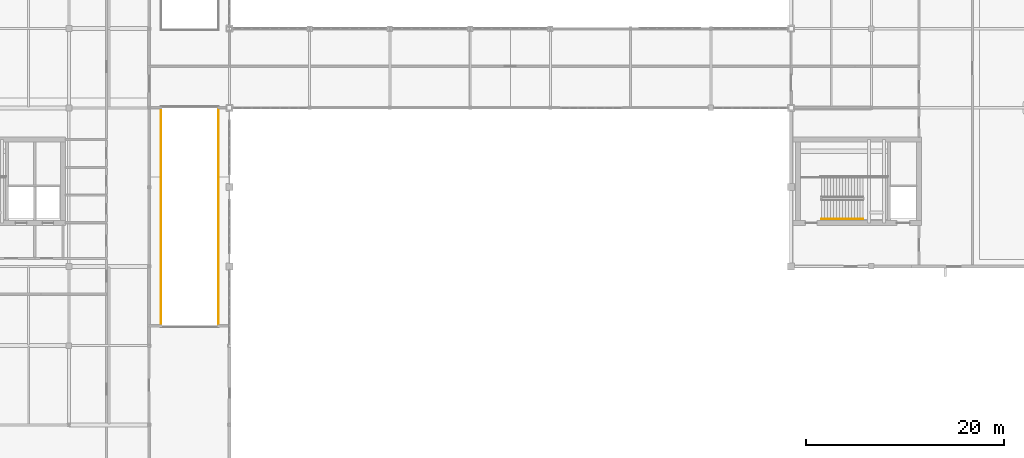
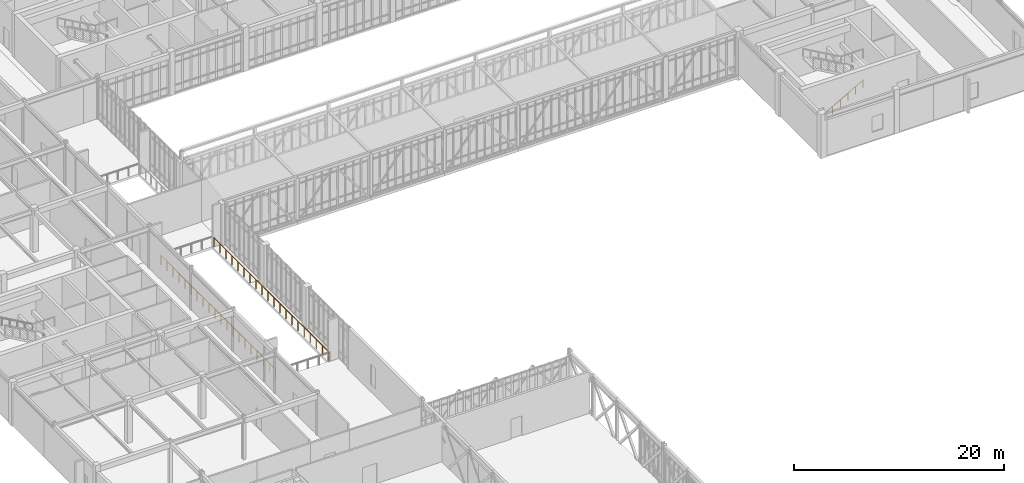
# One storey, part 103 of 107: 3 railings.
"""IFC4 building model written with IfcOpenShell, lengths in metres."""

from ifc_helpers import new_model, si_unit, direction, frame, origin, origin_2d, place, context, subcontext, project, spatial, circle, extrude, material, type_object, element, save


model = new_model("IFC4")

# Units and contexts
model_context = context("Model", 3, precision=1e-05, world=origin(), true_north=direction((0.0, 1.0)))
body_context = subcontext(model_context, "Body", "Model", "MODEL_VIEW")
ifc_project = project(units=[si_unit("LENGTHUNIT", "METRE"), si_unit("AREAUNIT", "SQUARE_METRE"), si_unit("VOLUMEUNIT", "CUBIC_METRE"), si_unit("PLANEANGLEUNIT", "RADIAN"), si_unit("MASSUNIT", "GRAM", prefix="KILO")], contexts=[model_context])

# Site, building, storey
site_placement = place(None, origin())
site = spatial("IfcSite", under=ifc_project, at=site_placement, CompositionType="ELEMENT")
building_placement = place(site_placement, origin())
building = spatial("IfcBuilding", under=site, at=building_placement, Name="Tarnveldt Square Police Headquarters", CompositionType="ELEMENT")
storey_placement = place(building_placement, frame((0.0, 0.0, 14.699951171875)))
storey = spatial("IfcBuildingStorey", under=building, at=storey_placement, Name="L03", CompositionType="ELEMENT", Elevation=14.699951171875)

# Railings
ifc_material = material(Name="Steel 350W", Category="steel")
railing_type_1 = type_object("IfcRailingType", Name="RL-GR-1100", PredefinedType="GUARDRAIL", material=ifc_material)
railing_1_placement = place(storey_placement, frame((47.52001953125, 50.090087890625, 0.0)))
element("IfcRailing", 1, at=railing_1_placement, inside=storey, type_object=railing_type_1, Name="L03 WG-ATRIUM-3S Atrium Overlook Guardrail E2", PredefinedType="GUARDRAIL", context=body_context, shape_type="SweptSolid", body=[
    extrude(circle(Radius=0.02392578125, at=origin_2d()), frame((0.0, 0.0, 1.076171875), z_axis=(0.0, 1.0, 0.0), x_axis=(-1.0, 0.0, 0.0)), (0.0, 0.0, 1.0), 21.829833984375),
    extrude(circle(Radius=0.02099609375, at=origin_2d()), origin(), (0.0, 0.0, 1.0), 1.052001953125),
    extrude(circle(Radius=0.02099609375, at=origin_2d()), frame((0.0, 1.14892578125, 0.0)), (0.0, 0.0, 1.0), 1.052001953125),
    extrude(circle(Radius=0.02099609375, at=origin_2d()), frame((0.0, 2.2978515625, 0.0)), (0.0, 0.0, 1.0), 1.052001953125),
    extrude(circle(Radius=0.02099609375, at=origin_2d()), frame((0.0, 3.44677734375, 0.0)), (0.0, 0.0, 1.0), 1.052001953125),
    extrude(circle(Radius=0.02099609375, at=origin_2d()), frame((0.0, 4.595703125, 0.0)), (0.0, 0.0, 1.0), 1.052001953125),
    extrude(circle(Radius=0.02099609375, at=origin_2d()), frame((0.0, 5.74462890625, 0.0)), (0.0, 0.0, 1.0), 1.052001953125),
    extrude(circle(Radius=0.02099609375, at=origin_2d()), frame((0.0, 6.8935546875, 0.0)), (0.0, 0.0, 1.0), 1.052001953125),
    extrude(circle(Radius=0.02099609375, at=origin_2d()), frame((0.0, 8.04248046875, 0.0)), (0.0, 0.0, 1.0), 1.052001953125),
    extrude(circle(Radius=0.02099609375, at=origin_2d()), frame((0.0, 9.19140625, 0.0)), (0.0, 0.0, 1.0), 1.052001953125),
    extrude(circle(Radius=0.02099609375, at=origin_2d()), frame((0.0, 10.34033203125, 0.0)), (0.0, 0.0, 1.0), 1.052001953125),
    extrude(circle(Radius=0.02099609375, at=origin_2d()), frame((0.0, 11.489501953125, 0.0)), (0.0, 0.0, 1.0), 1.052001953125),
    extrude(circle(Radius=0.02099609375, at=origin_2d()), frame((0.0, 12.638427734375, 0.0)), (0.0, 0.0, 1.0), 1.052001953125),
    extrude(circle(Radius=0.02099609375, at=origin_2d()), frame((0.0, 13.787353515625, 0.0)), (0.0, 0.0, 1.0), 1.052001953125),
    extrude(circle(Radius=0.02099609375, at=origin_2d()), frame((0.0, 14.936279296875, 0.0)), (0.0, 0.0, 1.0), 1.052001953125),
    extrude(circle(Radius=0.02099609375, at=origin_2d()), frame((0.0, 16.085205078125, 0.0)), (0.0, 0.0, 1.0), 1.052001953125),
    extrude(circle(Radius=0.02099609375, at=origin_2d()), frame((0.0, 17.234130859375, 0.0)), (0.0, 0.0, 1.0), 1.052001953125),
    extrude(circle(Radius=0.02099609375, at=origin_2d()), frame((0.0, 18.383056640625, 0.0)), (0.0, 0.0, 1.0), 1.052001953125),
    extrude(circle(Radius=0.02099609375, at=origin_2d()), frame((0.0, 19.531982421875, 0.0)), (0.0, 0.0, 1.0), 1.052001953125),
    extrude(circle(Radius=0.02099609375, at=origin_2d()), frame((0.0, 20.680908203125, 0.0)), (0.0, 0.0, 1.0), 1.052001953125),
    extrude(circle(Radius=0.02099609375, at=origin_2d()), frame((0.0, 21.829833984375, 0.0)), (0.0, 0.0, 1.0), 1.052001953125),
])
railing_2_placement = place(storey_placement, frame((41.679931640625, 71.919921875, 0.0)))
element("IfcRailing", 2, at=railing_2_placement, inside=storey, type_object=railing_type_1, Name="L03 WG-ATRIUM-3S Atrium Overlook Guardrail W2", PredefinedType="GUARDRAIL", context=body_context, shape_type="SweptSolid", body=[
    extrude(circle(Radius=0.02392578125, at=origin_2d()), frame((0.0, 0.0, 1.076171875), z_axis=(0.0, -1.0, 0.0), x_axis=(1.0, 0.0, 0.0)), (0.0, 0.0, 1.0), 21.829833984375),
    extrude(circle(Radius=0.02099609375, at=origin_2d()), origin(), (0.0, 0.0, 1.0), 1.052001953125),
    extrude(circle(Radius=0.02099609375, at=origin_2d()), frame((0.0, -1.14892578125, 0.0)), (0.0, 0.0, 1.0), 1.052001953125),
    extrude(circle(Radius=0.02099609375, at=origin_2d()), frame((0.0, -2.2978515625, 0.0)), (0.0, 0.0, 1.0), 1.052001953125),
    extrude(circle(Radius=0.02099609375, at=origin_2d()), frame((0.0, -3.44677734375, 0.0)), (0.0, 0.0, 1.0), 1.052001953125),
    extrude(circle(Radius=0.02099609375, at=origin_2d()), frame((0.0, -4.595703125, 0.0)), (0.0, 0.0, 1.0), 1.052001953125),
    extrude(circle(Radius=0.02099609375, at=origin_2d()), frame((0.0, -5.74462890625, 0.0)), (0.0, 0.0, 1.0), 1.052001953125),
    extrude(circle(Radius=0.02099609375, at=origin_2d()), frame((0.0, -6.8935546875, 0.0)), (0.0, 0.0, 1.0), 1.052001953125),
    extrude(circle(Radius=0.02099609375, at=origin_2d()), frame((0.0, -8.04248046875, 0.0)), (0.0, 0.0, 1.0), 1.052001953125),
    extrude(circle(Radius=0.02099609375, at=origin_2d()), frame((0.0, -9.19140625, 0.0)), (0.0, 0.0, 1.0), 1.052001953125),
    extrude(circle(Radius=0.02099609375, at=origin_2d()), frame((0.0, -10.34033203125, 0.0)), (0.0, 0.0, 1.0), 1.052001953125),
    extrude(circle(Radius=0.02099609375, at=origin_2d()), frame((0.0, -11.489501953125, 0.0)), (0.0, 0.0, 1.0), 1.052001953125),
    extrude(circle(Radius=0.02099609375, at=origin_2d()), frame((0.0, -12.638427734375, 0.0)), (0.0, 0.0, 1.0), 1.052001953125),
    extrude(circle(Radius=0.02099609375, at=origin_2d()), frame((0.0, -13.787353515625, 0.0)), (0.0, 0.0, 1.0), 1.052001953125),
    extrude(circle(Radius=0.02099609375, at=origin_2d()), frame((0.0, -14.936279296875, 0.0)), (0.0, 0.0, 1.0), 1.052001953125),
    extrude(circle(Radius=0.02099609375, at=origin_2d()), frame((0.0, -16.085205078125, 0.0)), (0.0, 0.0, 1.0), 1.052001953125),
    extrude(circle(Radius=0.02099609375, at=origin_2d()), frame((0.0, -17.234130859375, 0.0)), (0.0, 0.0, 1.0), 1.052001953125),
    extrude(circle(Radius=0.02099609375, at=origin_2d()), frame((0.0, -18.383056640625, 0.0)), (0.0, 0.0, 1.0), 1.052001953125),
    extrude(circle(Radius=0.02099609375, at=origin_2d()), frame((0.0, -19.531982421875, 0.0)), (0.0, 0.0, 1.0), 1.052001953125),
    extrude(circle(Radius=0.02099609375, at=origin_2d()), frame((0.0, -20.680908203125, 0.0)), (0.0, 0.0, 1.0), 1.052001953125),
    extrude(circle(Radius=0.02099609375, at=origin_2d()), frame((0.0, -21.829833984375, 0.0)), (0.0, 0.0, 1.0), 1.052001953125),
])
railing_type_2 = type_object("IfcRailingType", Name="RL-HR-900", PredefinedType="HANDRAIL", material=ifc_material)
railing_3_placement = place(storey_placement, frame((108.3701171875, 60.77001953125, 0.170166015625)))
element("IfcRailing", 3, at=railing_3_placement, inside=storey, type_object=railing_type_2, Name="L03 ST4 stair handrail 1", PredefinedType="HANDRAIL", context=body_context, shape_type="SweptSolid", body=[
    extrude(circle(Radius=0.02392578125, at=origin_2d()), frame((0.0, 0.0, 0.8759765625), z_axis=(0.870030139814, 0.0, 0.492998535308), x_axis=(0.0, 1.0, 0.0)), (0.0, 0.0, 1.0), 4.827392578125),
    extrude(circle(Radius=0.02099609375, at=origin_2d()), origin(), (0.0, 0.0, 1.0), 0.851806640625),
    extrude(circle(Radius=0.02099609375, at=origin_2d()), frame((0.840087890625, 0.0, 0.47607421875)), (0.0, 0.0, 1.0), 0.851806640625),
    extrude(circle(Radius=0.02099609375, at=origin_2d()), frame((1.679931640625, 0.0, 0.951904296875)), (0.0, 0.0, 1.0), 0.851806640625),
    extrude(circle(Radius=0.02099609375, at=origin_2d()), frame((2.52001953125, 0.0, 1.427978515625)), (0.0, 0.0, 1.0), 0.851806640625),
    extrude(circle(Radius=0.02099609375, at=origin_2d()), frame((3.35986328125, 0.0, 1.90380859375)), (0.0, 0.0, 1.0), 0.851806640625),
    extrude(circle(Radius=0.02099609375, at=origin_2d()), frame((4.199951171875, 0.0, 2.3798828125)), (0.0, 0.0, 1.0), 0.851806640625),
])

save(model, "model.ifc")
